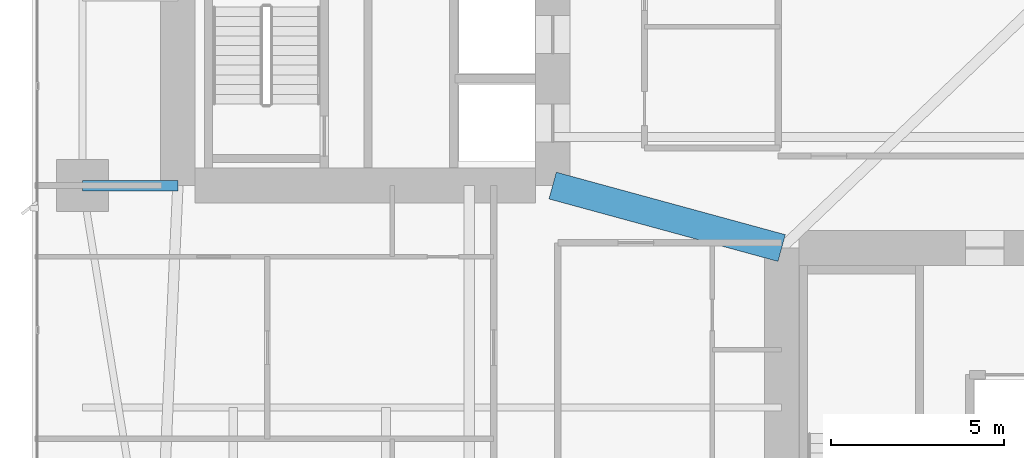
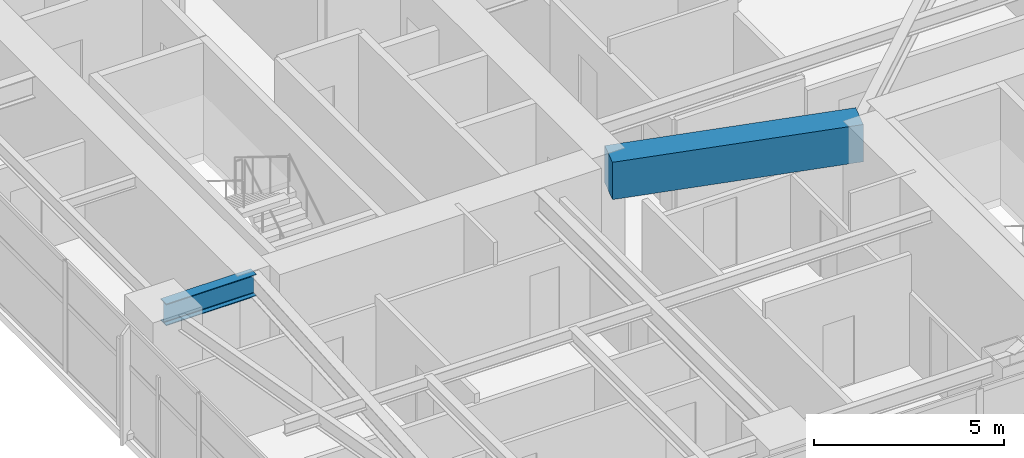
# One storey, part 7 of 29: 2 beams.
"""IFC4 building model written with IfcOpenShell, lengths in metres."""

from ifc_helpers import new_model, si_unit, direction, frame, origin, origin_2d, place, context, subcontext, project, spatial, rectangle, i_section, extrude, material, material_profile, profile_set, type_object, element, save


model = new_model("IFC4")

# Units and contexts
model_context = context("Model", 3, precision=1e-05, world=origin(), true_north=direction((0.0, 1.0)))
body_context = subcontext(model_context, "Body", "Model", "MODEL_VIEW")
ifc_project = project(units=[si_unit("LENGTHUNIT", "METRE"), si_unit("AREAUNIT", "SQUARE_METRE"), si_unit("VOLUMEUNIT", "CUBIC_METRE"), si_unit("PLANEANGLEUNIT", "RADIAN"), si_unit("MASSUNIT", "GRAM", prefix="KILO")], contexts=[model_context])

# Site, building, storey
site_placement = place(None, origin())
site = spatial("IfcSite", under=ifc_project, at=site_placement, CompositionType="ELEMENT")
building_placement = place(site_placement, origin())
building = spatial("IfcBuilding", under=site, at=building_placement, Name="Calvorn Quay Hotel", CompositionType="ELEMENT")
storey_placement = place(building_placement, frame((0.0, 0.0, 34.60009765625)))
storey = spatial("IfcBuildingStorey", under=building, at=storey_placement, Name="L07", CompositionType="ELEMENT", Elevation=34.60009765625)

# Beams
ifc_material_1 = material(Name="Steel Q390GJC", Category="steel")
ifc_material_profile_1 = material_profile(ifc_material_1, i_section(OverallWidth=0.300048828125, OverallDepth=0.699951171875, WebThickness=0.012939453125, FlangeThickness=0.02392578125, FilletRadius=0.02392578125, at=origin_2d()), Name="HN700x300x13x24")
ifc_profile_set_1 = profile_set([ifc_material_profile_1], Name="Steel Q390GJC")
beam_type_1 = type_object("IfcBeamType", Name="BM-GIRD-MAIN", PredefinedType="BEAM", material=ifc_profile_set_1)
beam_1_placement = place(storey_placement, frame((1.449951171875, 16.800048828125, 3.18994140625), z_axis=(1.0, 0.0, 0.0), x_axis=(0.0, 1.0, 0.0)))
element("IfcBeam", 1, at=beam_1_placement, inside=storey, type_object=beam_type_1, Name="Beam BG-L07-W1", PredefinedType="BEAM", context=body_context, shape_type="SweptSolid", body=[
    extrude(i_section(OverallWidth=0.300048828125, OverallDepth=0.699951171875, WebThickness=0.012939453125, FlangeThickness=0.02392578125, FilletRadius=0.02392578125, at=origin_2d()), origin(), (0.0, 0.0, 1.0), 2.75),
])
ifc_material_2 = material(Name="Concrete C60", Category="concrete")
ifc_material_profile_2 = material_profile(ifc_material_2, rectangle(XDim=0.800048828125, YDim=1.199951171875, at=origin_2d()), Name="RCB800x1200")
ifc_profile_set_2 = profile_set([ifc_material_profile_2], Name="Concrete C60")
beam_type_2 = type_object("IfcBeamType", Name="BM-RC-LINK-800x1200", PredefinedType="BEAM", material=ifc_profile_set_2)
beam_2_placement = place(storey_placement, frame((15.0, 16.800048828125, 2.93994140625), z_axis=(0.964762997686, -0.263120425462, 0.0), x_axis=(0.263120425462, 0.964762997686, 0.0)))
element("IfcBeam", 2, at=beam_2_placement, inside=storey, type_object=beam_type_2, Name="Beam BCL-L07-01", PredefinedType="BEAM", context=body_context, shape_type="SweptSolid", body=[
    extrude(rectangle(XDim=0.800048828125, YDim=1.199951171875, at=origin_2d()), origin(), (0.0, 0.0, 1.0), 6.841064453125),
])

save(model, "model.ifc")
